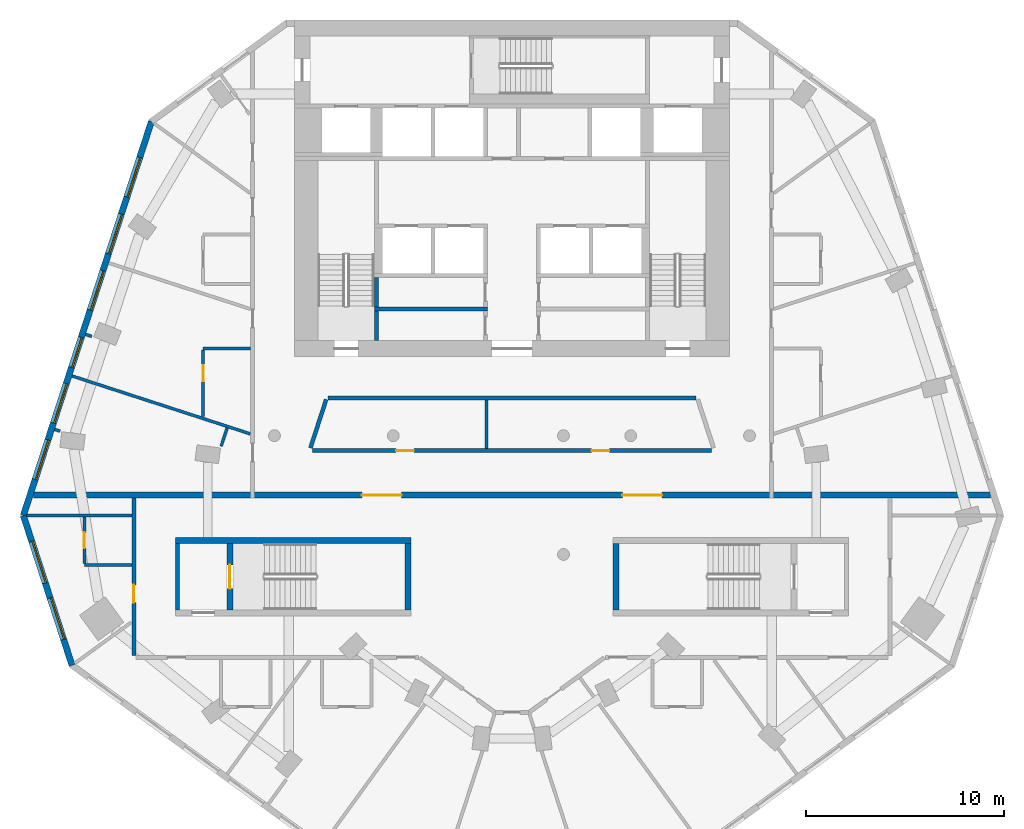
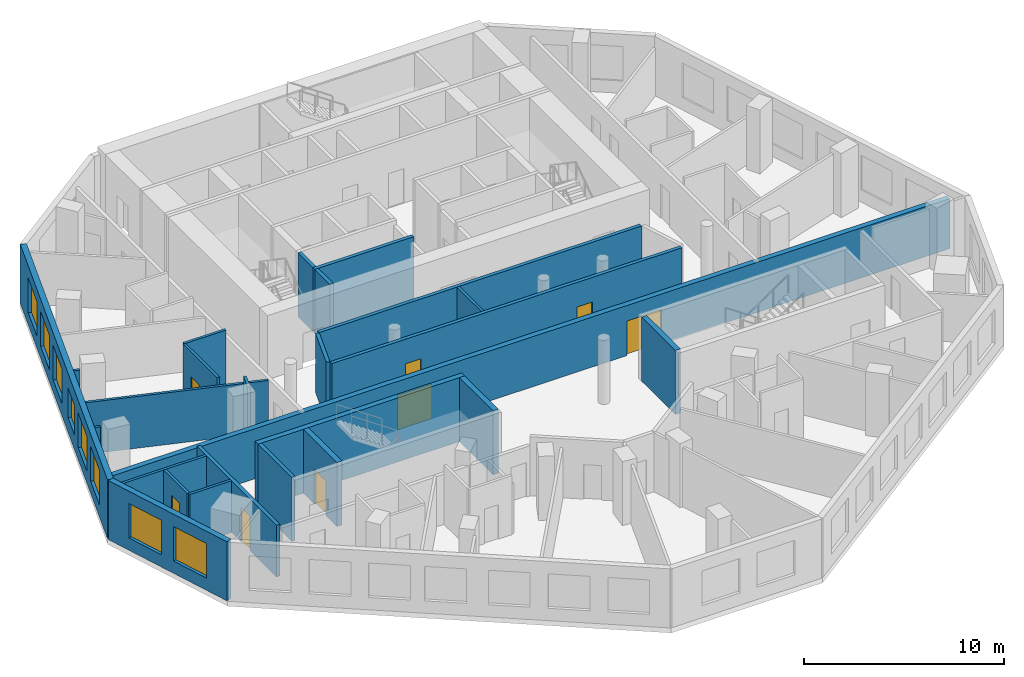
# One storey, part 3 of 9: 25 walls, 8 doors, 8 windows, 16 openings.
"""IFC4 building model written with IfcOpenShell, lengths in metres."""

from ifc_helpers import new_model, si_unit, direction, frame, frame_2d, origin, place, context, subcontext, project, spatial, rectangle, extrude, material, layer, layer_set, type_object, element, fill, save


model = new_model("IFC4")

# Units and contexts
model_context = context("Model", 3, precision=1e-05, world=origin(), true_north=direction((0.0, 1.0)))
body_context = subcontext(model_context, "Body", "Model", "MODEL_VIEW")
ifc_project = project(units=[si_unit("LENGTHUNIT", "METRE"), si_unit("AREAUNIT", "SQUARE_METRE"), si_unit("VOLUMEUNIT", "CUBIC_METRE"), si_unit("PLANEANGLEUNIT", "RADIAN"), si_unit("MASSUNIT", "GRAM", prefix="KILO")], contexts=[model_context])

# Site, building, storey
site_placement = place(None, origin())
site = spatial("IfcSite", under=ifc_project, at=site_placement, CompositionType="ELEMENT")
building_placement = place(site_placement, origin())
building = spatial("IfcBuilding", under=site, at=building_placement, Name="White Candle Pilgrim Tower", CompositionType="ELEMENT")
storey_placement = place(building_placement, frame((0.0, 0.0, 216.0)))
storey = spatial("IfcBuildingStorey", under=building, at=storey_placement, Name="L50", CompositionType="ELEMENT", Elevation=216.0)

# Wall
ifc_material_1 = material(Name="Concrete C50/60", Category="concrete")
ifc_layer_1 = layer(ifc_material_1, 0.199951171875)
ifc_layer_set_1 = layer_set([ifc_layer_1], Name="Core wall 200 mm Concrete C50/60")
wall_type_1 = type_object("IfcWallType", Name="Core wall 200 mm Concrete C50/60", PredefinedType="SHEAR", material=ifc_layer_set_1)
wall_1_placement = place(storey_placement, frame((53.10009765625, 58.199951171875, 0.0), z_axis=(0.0, 0.0, 1.0), x_axis=(0.0, 1.0, 0.0)))
element("IfcWall", 1, at=wall_1_placement, inside=storey, type_object=wall_type_1, Name="WL-L50-C03", PredefinedType="SHEAR", context=body_context, shape_type="SweptSolid", body=[
    extrude(rectangle(XDim=3.35009765625, YDim=0.199951171875, at=frame_2d((1.675048828125, 0.0))), origin(), (0.0, 0.0, 1.0), 3.89990234375),
])

# Wall, opening, door
ifc_material_2 = material(Name="Gypsum board on steel studs", Category="steel")
ifc_layer_2 = layer(ifc_material_2, 0.199951171875)
ifc_layer_set_2 = layer_set([ifc_layer_2], Name="Corridor wall 200 mm EI 45")
wall_type_2 = type_object("IfcWallType", Name="Corridor wall 200 mm EI 45", PredefinedType="PARTITIONING", material=ifc_layer_set_2)
wall_2_placement = place(storey_placement, frame((50.89990234375, 55.89990234375, 0.0), z_axis=(0.0, 0.0, 1.0), x_axis=(0.0, 1.0, 0.0)))
wall_2 = element("IfcWall", 2, at=wall_2_placement, inside=storey, type_object=wall_type_2, Name="WL-L50-P010", PredefinedType="PARTITIONING", context=body_context, shape_type="SweptSolid", body=[
    extrude(rectangle(XDim=7.9501953125, YDim=0.199951171875, at=frame_2d((3.97509765625, 0.0))), origin(), (0.0, 0.0, 1.0), 3.14990234375),
])
opening_1_placement = place(wall_2_placement, frame((2.66650390625, 0.0, 0.0)))
opening_1 = element("IfcOpeningElement", 3, at=opening_1_placement, cuts=wall_2, Name="Opening T15-104", PredefinedType="OPENING", context=body_context, shape_type="SweptSolid", body=[
    extrude(rectangle(XDim=0.89990234375, YDim=2.10009765625, at=frame_2d((0.449951171875, 1.050048828125))), frame((0.0, 0.10986328125, 0.0), z_axis=(0.0, -1.0, 0.0), x_axis=(1.0, 0.0, 0.0)), (0.0, 0.0, 1.0), 0.219970703125),
])
ifc_material_3 = material(Name="Steel door leaf", Category="steel")
door_type_1 = type_object("IfcDoorType", Name="Fire door 900 x 2100 EI 30", OperationType="NOTDEFINED", PredefinedType="DOOR", material=ifc_material_3)
door_1_placement = place(opening_1_placement, origin())
door_1 = element("IfcDoor", 4, at=door_1_placement, inside=storey, type_object=door_type_1, Name="Door T15-104", OperationType="SINGLE_SWING_RIGHT", OverallHeight=2.10009765625, OverallWidth=0.89990234375, PredefinedType="DOOR", context=body_context, shape_type="SweptSolid", body=[
    extrude(rectangle(XDim=0.89990234375, YDim=2.10009765625, at=frame_2d((0.449951171875, 1.050048828125))), frame((0.0, 0.02490234375, 0.0), z_axis=(0.0, -1.0, 0.0), x_axis=(1.0, 0.0, 0.0)), (0.0, 0.0, 1.0), 0.050048828125),
])
fill(opening_1, door_1)

# Wall
wall_3_placement = place(storey_placement, frame((60.614501953125, 68.830810546875, 0.0), z_axis=(0.0, 0.0, 1.0), x_axis=(-0.309053927645, -0.951044515155, 0.0)))
element("IfcWall", 5, at=wall_3_placement, inside=storey, type_object=wall_type_2, Name="WL-L50-P011", PredefinedType="PARTITIONING", context=body_context, shape_type="SweptSolid", body=[
    extrude(rectangle(XDim=2.576171875, YDim=0.199951171875, at=frame_2d((1.2880859375, 0.0))), origin(), (0.0, 0.0, 1.0), 3.60009765625),
])

# Wall, openings, doors
wall_4_placement = place(storey_placement, frame((59.91357421875, 66.25, 0.0), z_axis=(0.0, 0.0, 1.0), x_axis=(1.0, 0.0, 0.0)))
wall_4 = element("IfcWall", 6, at=wall_4_placement, inside=storey, type_object=wall_type_2, Name="WL-L50-P012", PredefinedType="PARTITIONING", context=body_context, shape_type="SweptSolid", body=[
    extrude(rectangle(XDim=20.1728515625, YDim=0.199951171875, at=frame_2d((10.08642578125, 0.0))), origin(), (0.0, 0.0, 1.0), 3.60009765625),
])
opening_2_placement = place(wall_4_placement, frame((4.232421875, 0.0, 0.0)))
opening_2 = element("IfcOpeningElement", 7, at=opening_2_placement, cuts=wall_4, Name="Opening T15-121", PredefinedType="OPENING", context=body_context, shape_type="SweptSolid", body=[
    extrude(rectangle(XDim=0.89990234375, YDim=2.10009765625, at=frame_2d((0.449951171875, 1.050048828125))), frame((0.0, 0.10986328125, 0.0), z_axis=(0.0, -1.0, 0.0), x_axis=(1.0, 0.0, 0.0)), (0.0, 0.0, 1.0), 0.219970703125),
])
opening_3_placement = place(wall_4_placement, frame((14.1064453125, 0.0, 0.0)))
opening_3 = element("IfcOpeningElement", 8, at=opening_3_placement, cuts=wall_4, Name="Opening T15-122", PredefinedType="OPENING", context=body_context, shape_type="SweptSolid", body=[
    extrude(rectangle(XDim=0.89990234375, YDim=2.10009765625, at=frame_2d((0.449951171875, 1.050048828125))), frame((0.0, 0.10986328125, 0.0), z_axis=(0.0, -1.0, 0.0), x_axis=(1.0, 0.0, 0.0)), (0.0, 0.0, 1.0), 0.219970703125),
])
door_2_placement = place(opening_2_placement, origin())
door_2 = element("IfcDoor", 9, at=door_2_placement, inside=storey, type_object=door_type_1, Name="Door T15-121", OperationType="SINGLE_SWING_RIGHT", OverallHeight=2.10009765625, OverallWidth=0.89990234375, PredefinedType="DOOR", context=body_context, shape_type="SweptSolid", body=[
    extrude(rectangle(XDim=0.89990234375, YDim=2.10009765625, at=frame_2d((0.449951171875, 1.050048828125))), frame((0.0, 0.02490234375, 0.0), z_axis=(0.0, -1.0, 0.0), x_axis=(1.0, 0.0, 0.0)), (0.0, 0.0, 1.0), 0.050048828125),
])
fill(opening_2, door_2)
door_3_placement = place(opening_3_placement, origin())
door_3 = element("IfcDoor", 10, at=door_3_placement, inside=storey, type_object=door_type_1, Name="Door T15-122", OperationType="SINGLE_SWING_RIGHT", OverallHeight=2.10009765625, OverallWidth=0.89990234375, PredefinedType="DOOR", context=body_context, shape_type="SweptSolid", body=[
    extrude(rectangle(XDim=0.89990234375, YDim=2.10009765625, at=frame_2d((0.449951171875, 1.050048828125))), frame((0.0, 0.02490234375, 0.0), z_axis=(0.0, -1.0, 0.0), x_axis=(1.0, 0.0, 0.0)), (0.0, 0.0, 1.0), 0.050048828125),
])
fill(opening_3, door_3)

# Wall
wall_5_placement = place(storey_placement, frame((79.290283203125, 68.89990234375, 0.0), z_axis=(0.0, 0.0, 1.0), x_axis=(-1.0, 0.0, 0.0)))
element("IfcWall", 11, at=wall_5_placement, inside=storey, type_object=wall_type_2, Name="WL-L50-P014", PredefinedType="PARTITIONING", context=body_context, shape_type="SweptSolid", body=[
    extrude(rectangle(XDim=18.58056640625, YDim=0.199951171875, at=frame_2d((9.290283203125, 0.0))), origin(), (0.0, 0.0, 1.0), 3.60009765625),
])

# Wall, openings, windows
ifc_material_4 = material(Name="Precast concrete C40/50", Category="concrete")
ifc_layer_3 = layer(ifc_material_4, 0.320068359375)
ifc_layer_set_3 = layer_set([ifc_layer_3], Name="Facade wall EW1 precast concrete C40/50 pier wall with timber-lined reveals")
wall_type_3 = type_object("IfcWallType", Name="Facade wall EW1 precast concrete C40/50 pier wall with timber-lined reveals", PredefinedType="SOLIDWALL", material=ifc_layer_set_3)
wall_6_placement = place(storey_placement, frame((45.312255859375, 62.96337890625, 0.0), z_axis=(0.0, 0.0, 1.0), x_axis=(0.309020158762, -0.951055488118, 0.0)))
wall_6 = element("IfcWall", 12, at=wall_6_placement, inside=storey, type_object=wall_type_3, Name="Facade wall L50 W chamfer", PredefinedType="SOLIDWALL", context=body_context, shape_type="SweptSolid", body=[
    extrude(rectangle(XDim=7.95654296875, YDim=0.320068359375, at=frame_2d((3.978271484375, 0.0))), origin(), (0.0, 0.0, 1.0), 3.60009765625),
])
opening_4_placement = place(wall_6_placement, frame((1.378173828125, 0.0, 0.75)))
opening_4 = element("IfcOpeningElement", 13, at=opening_4_placement, cuts=wall_6, Name="Opening W4", PredefinedType="OPENING", context=body_context, shape_type="SweptSolid", body=[
    extrude(rectangle(XDim=2.199951171875, YDim=2.10009765625, at=frame_2d((1.10009765625, 1.050048828125))), frame((0.0, 0.169921875, 0.0), z_axis=(0.0, -1.0, 0.0), x_axis=(1.0, 0.0, 0.0)), (0.0, 0.0, 1.0), 0.340087890625),
])
opening_5_placement = place(wall_6_placement, frame((4.378173828125, 0.0, 0.75)))
opening_5 = element("IfcOpeningElement", 14, at=opening_5_placement, cuts=wall_6, Name="Opening W4", PredefinedType="OPENING", context=body_context, shape_type="SweptSolid", body=[
    extrude(rectangle(XDim=2.199951171875, YDim=2.10009765625, at=frame_2d((1.10009765625, 1.050048828125))), frame((0.0, 0.169921875, 0.0), z_axis=(0.0, -1.0, 0.0), x_axis=(1.0, 0.0, 0.0)), (0.0, 0.0, 1.0), 0.340087890625),
])
ifc_material_5 = material(Name="Timber frame with triple glazing", Category="wood")
window_type_1 = type_object("IfcWindowType", Name="Window W4 2200x2100 timber frame triple glazing", PartitioningType="SINGLE_PANEL", PredefinedType="WINDOW", material=ifc_material_5)
window_1_placement = place(opening_4_placement, origin())
window_1 = element("IfcWindow", 15, at=window_1_placement, inside=storey, type_object=window_type_1, Name="Window W4 L50 W chamfer 1", OverallHeight=2.10009765625, OverallWidth=2.199951171875, PartitioningType="SINGLE_PANEL", PredefinedType="WINDOW", context=body_context, shape_type="SweptSolid", body=[
    extrude(rectangle(XDim=2.199951171875, YDim=2.10009765625, at=frame_2d((1.10009765625, 1.050048828125))), frame((0.0, 0.070068359375, 0.0), z_axis=(0.0, -1.0, 0.0), x_axis=(1.0, 0.0, 0.0)), (0.0, 0.0, 1.0), 0.06005859375),
])
fill(opening_4, window_1)
window_2_placement = place(opening_5_placement, origin())
window_2 = element("IfcWindow", 16, at=window_2_placement, inside=storey, type_object=window_type_1, Name="Window W4 L50 W chamfer 2", OverallHeight=2.10009765625, OverallWidth=2.199951171875, PartitioningType="SINGLE_PANEL", PredefinedType="WINDOW", context=body_context, shape_type="SweptSolid", body=[
    extrude(rectangle(XDim=2.199951171875, YDim=2.10009765625, at=frame_2d((1.10009765625, 1.050048828125))), frame((0.0, 0.070068359375, 0.0), z_axis=(0.0, -1.0, 0.0), x_axis=(1.0, 0.0, 0.0)), (0.0, 0.0, 1.0), 0.06005859375),
])
fill(opening_5, window_2)

wall_7_placement = place(storey_placement, frame((51.7822265625, 82.875732421875, 0.0), z_axis=(0.0, 0.0, 1.0), x_axis=(-0.309019363855, -0.951055746401, 0.0)))
wall_7 = element("IfcWall", 17, at=wall_7_placement, inside=storey, type_object=wall_type_3, Name="Facade wall L50 WNW", PredefinedType="SOLIDWALL", context=body_context, shape_type="SweptSolid", body=[
    extrude(rectangle(XDim=20.93701171875, YDim=0.320068359375, at=frame_2d((10.468505859375, 0.0))), origin(), (0.0, 0.0, 1.0), 3.60009765625),
])
opening_6_placement = place(wall_7_placement, frame((1.918701171875, 0.0, 0.75)))
opening_6 = element("IfcOpeningElement", 18, at=opening_6_placement, cuts=wall_7, Name="Opening W3", PredefinedType="OPENING", context=body_context, shape_type="SweptSolid", body=[
    extrude(rectangle(XDim=2.10009765625, YDim=2.10009765625, at=frame_2d((1.050048828125, 1.050048828125))), frame((0.0, 0.169921875, 0.0), z_axis=(0.0, -1.0, 0.0), x_axis=(1.0, 0.0, 0.0)), (0.0, 0.0, 1.0), 0.340087890625),
])
opening_7_placement = place(wall_7_placement, frame((4.918701171875, 0.0, 0.75)))
opening_7 = element("IfcOpeningElement", 19, at=opening_7_placement, cuts=wall_7, Name="Opening W3", PredefinedType="OPENING", context=body_context, shape_type="SweptSolid", body=[
    extrude(rectangle(XDim=2.10009765625, YDim=2.10009765625, at=frame_2d((1.050048828125, 1.050048828125))), frame((0.0, 0.169921875, 0.0), z_axis=(0.0, -1.0, 0.0), x_axis=(1.0, 0.0, 0.0)), (0.0, 0.0, 1.0), 0.340087890625),
])
opening_8_placement = place(wall_7_placement, frame((7.918701171875, 0.0, 0.75)))
opening_8 = element("IfcOpeningElement", 20, at=opening_8_placement, cuts=wall_7, Name="Opening W3", PredefinedType="OPENING", context=body_context, shape_type="SweptSolid", body=[
    extrude(rectangle(XDim=2.10009765625, YDim=2.10009765625, at=frame_2d((1.050048828125, 1.050048828125))), frame((0.0, 0.169921875, 0.0), z_axis=(0.0, -1.0, 0.0), x_axis=(1.0, 0.0, 0.0)), (0.0, 0.0, 1.0), 0.340087890625),
])
opening_9_placement = place(wall_7_placement, frame((11.468505859375, 0.0, 0.89990234375)))
opening_9 = element("IfcOpeningElement", 21, at=opening_9_placement, cuts=wall_7, Name="Opening W2", PredefinedType="OPENING", context=body_context, shape_type="SweptSolid", body=[
    extrude(rectangle(XDim=1.60009765625, YDim=1.800048828125, at=frame_2d((0.800048828125, 0.89990234375))), frame((0.0, 0.169921875, 0.0), z_axis=(0.0, -1.0, 0.0), x_axis=(1.0, 0.0, 0.0)), (0.0, 0.0, 1.0), 0.340087890625),
])
opening_10_placement = place(wall_7_placement, frame((13.918701171875, 0.0, 0.75)))
opening_10 = element("IfcOpeningElement", 22, at=opening_10_placement, cuts=wall_7, Name="Opening W3", PredefinedType="OPENING", context=body_context, shape_type="SweptSolid", body=[
    extrude(rectangle(XDim=2.10009765625, YDim=2.10009765625, at=frame_2d((1.050048828125, 1.050048828125))), frame((0.0, 0.169921875, 0.0), z_axis=(0.0, -1.0, 0.0), x_axis=(1.0, 0.0, 0.0)), (0.0, 0.0, 1.0), 0.340087890625),
])
opening_11_placement = place(wall_7_placement, frame((16.918701171875, 0.0, 0.75)))
opening_11 = element("IfcOpeningElement", 23, at=opening_11_placement, cuts=wall_7, Name="Opening W3", PredefinedType="OPENING", context=body_context, shape_type="SweptSolid", body=[
    extrude(rectangle(XDim=2.10009765625, YDim=2.10009765625, at=frame_2d((1.050048828125, 1.050048828125))), frame((0.0, 0.169921875, 0.0), z_axis=(0.0, -1.0, 0.0), x_axis=(1.0, 0.0, 0.0)), (0.0, 0.0, 1.0), 0.340087890625),
])
window_type_2 = type_object("IfcWindowType", Name="Window W2 1600x1800 timber frame triple glazing", PartitioningType="SINGLE_PANEL", PredefinedType="WINDOW", material=ifc_material_5)
window_3_placement = place(opening_9_placement, origin())
window_3 = element("IfcWindow", 24, at=window_3_placement, inside=storey, type_object=window_type_2, Name="Window W2 L50 WNW 4", OverallHeight=1.800048828125, OverallWidth=1.60009765625, PartitioningType="SINGLE_PANEL", PredefinedType="WINDOW", context=body_context, shape_type="SweptSolid", body=[
    extrude(rectangle(XDim=1.60009765625, YDim=1.800048828125, at=frame_2d((0.800048828125, 0.89990234375))), frame((0.0, 0.070068359375, 0.0), z_axis=(0.0, -1.0, 0.0), x_axis=(1.0, 0.0, 0.0)), (0.0, 0.0, 1.0), 0.06005859375),
])
fill(opening_9, window_3)
window_type_3 = type_object("IfcWindowType", Name="Window W3 2100x2100 timber frame triple glazing", PartitioningType="SINGLE_PANEL", PredefinedType="WINDOW", material=ifc_material_5)
window_4_placement = place(opening_6_placement, origin())
window_4 = element("IfcWindow", 25, at=window_4_placement, inside=storey, type_object=window_type_3, Name="Window W3 L50 WNW 1", OverallHeight=2.10009765625, OverallWidth=2.10009765625, PartitioningType="SINGLE_PANEL", PredefinedType="WINDOW", context=body_context, shape_type="SweptSolid", body=[
    extrude(rectangle(XDim=2.10009765625, YDim=2.10009765625, at=frame_2d((1.050048828125, 1.050048828125))), frame((0.0, 0.070068359375, 0.0), z_axis=(0.0, -1.0, 0.0), x_axis=(1.0, 0.0, 0.0)), (0.0, 0.0, 1.0), 0.06005859375),
])
fill(opening_6, window_4)
window_5_placement = place(opening_7_placement, origin())
window_5 = element("IfcWindow", 26, at=window_5_placement, inside=storey, type_object=window_type_3, Name="Window W3 L50 WNW 2", OverallHeight=2.10009765625, OverallWidth=2.10009765625, PartitioningType="SINGLE_PANEL", PredefinedType="WINDOW", context=body_context, shape_type="SweptSolid", body=[
    extrude(rectangle(XDim=2.10009765625, YDim=2.10009765625, at=frame_2d((1.050048828125, 1.050048828125))), frame((0.0, 0.070068359375, 0.0), z_axis=(0.0, -1.0, 0.0), x_axis=(1.0, 0.0, 0.0)), (0.0, 0.0, 1.0), 0.06005859375),
])
fill(opening_7, window_5)
window_6_placement = place(opening_8_placement, origin())
window_6 = element("IfcWindow", 27, at=window_6_placement, inside=storey, type_object=window_type_3, Name="Window W3 L50 WNW 3", OverallHeight=2.10009765625, OverallWidth=2.10009765625, PartitioningType="SINGLE_PANEL", PredefinedType="WINDOW", context=body_context, shape_type="SweptSolid", body=[
    extrude(rectangle(XDim=2.10009765625, YDim=2.10009765625, at=frame_2d((1.050048828125, 1.050048828125))), frame((0.0, 0.070068359375, 0.0), z_axis=(0.0, -1.0, 0.0), x_axis=(1.0, 0.0, 0.0)), (0.0, 0.0, 1.0), 0.06005859375),
])
fill(opening_8, window_6)
window_7_placement = place(opening_10_placement, origin())
window_7 = element("IfcWindow", 28, at=window_7_placement, inside=storey, type_object=window_type_3, Name="Window W3 L50 WNW 5", OverallHeight=2.10009765625, OverallWidth=2.10009765625, PartitioningType="SINGLE_PANEL", PredefinedType="WINDOW", context=body_context, shape_type="SweptSolid", body=[
    extrude(rectangle(XDim=2.10009765625, YDim=2.10009765625, at=frame_2d((1.050048828125, 1.050048828125))), frame((0.0, 0.070068359375, 0.0), z_axis=(0.0, -1.0, 0.0), x_axis=(1.0, 0.0, 0.0)), (0.0, 0.0, 1.0), 0.06005859375),
])
fill(opening_10, window_7)
window_8_placement = place(opening_11_placement, origin())
window_8 = element("IfcWindow", 29, at=window_8_placement, inside=storey, type_object=window_type_3, Name="Window W3 L50 WNW 6", OverallHeight=2.10009765625, OverallWidth=2.10009765625, PartitioningType="SINGLE_PANEL", PredefinedType="WINDOW", context=body_context, shape_type="SweptSolid", body=[
    extrude(rectangle(XDim=2.10009765625, YDim=2.10009765625, at=frame_2d((1.050048828125, 1.050048828125))), frame((0.0, 0.070068359375, 0.0), z_axis=(0.0, -1.0, 0.0), x_axis=(1.0, 0.0, 0.0)), (0.0, 0.0, 1.0), 0.06005859375),
])
fill(opening_11, window_8)

# Wall, openings, doors
ifc_material_6 = material(Name="Aerated concrete block", Category="concrete")
ifc_layer_4 = layer(ifc_material_6, 0.300048828125)
ifc_layer_set_4 = layer_set([ifc_layer_4], Name="Fire wall 300 mm REI 240")
wall_type_4 = type_object("IfcWallType", Name="Fire wall 300 mm REI 240", PredefinedType="PARTITIONING", material=ifc_layer_set_4)
wall_8_placement = place(storey_placement, frame((45.8173828125, 64.0, 0.0), z_axis=(0.0, 0.0, 1.0), x_axis=(1.0, 0.0, 0.0)))
wall_8 = element("IfcWall", 30, at=wall_8_placement, inside=storey, type_object=wall_type_4, Name="WL-L50-P001", PredefinedType="PARTITIONING", context=body_context, shape_type="SweptSolid", body=[
    extrude(rectangle(XDim=48.365234375, YDim=0.300048828125, at=frame_2d((24.1826171875, 0.0))), origin(), (0.0, 0.0, 1.0), 3.050048828125),
])
opening_12_placement = place(wall_8_placement, frame((16.60107421875, 0.0, 0.0)))
opening_12 = element("IfcOpeningElement", 31, at=opening_12_placement, cuts=wall_8, Name="Opening T15-119", PredefinedType="OPENING", context=body_context, shape_type="SweptSolid", body=[
    extrude(rectangle(XDim=2.0, YDim=2.10009765625, at=frame_2d((1.0, 1.050048828125))), frame((0.0, 0.159912109375, 0.0), z_axis=(0.0, -1.0, 0.0), x_axis=(1.0, 0.0, 0.0)), (0.0, 0.0, 1.0), 0.320068359375),
])
opening_13_placement = place(wall_8_placement, frame((29.76416015625, 0.0, 0.0)))
opening_13 = element("IfcOpeningElement", 32, at=opening_13_placement, cuts=wall_8, Name="Opening T15-120", PredefinedType="OPENING", context=body_context, shape_type="SweptSolid", body=[
    extrude(rectangle(XDim=2.0, YDim=2.10009765625, at=frame_2d((1.0, 1.050048828125))), frame((0.0, 0.159912109375, 0.0), z_axis=(0.0, -1.0, 0.0), x_axis=(1.0, 0.0, 0.0)), (0.0, 0.0, 1.0), 0.320068359375),
])
door_type_2 = type_object("IfcDoorType", Name="Fire door 2000 x 2100 EI 60", OperationType="NOTDEFINED", PredefinedType="DOOR", material=ifc_material_3)
door_4_placement = place(opening_12_placement, origin())
door_4 = element("IfcDoor", 33, at=door_4_placement, inside=storey, type_object=door_type_2, Name="Door T15-119", OperationType="DOUBLE_DOOR_SINGLE_SWING", OverallHeight=2.10009765625, OverallWidth=2.0, PredefinedType="DOOR", context=body_context, shape_type="SweptSolid", body=[
    extrude(rectangle(XDim=2.0, YDim=2.10009765625, at=frame_2d((1.0, 1.050048828125))), frame((0.0, 0.02490234375, 0.0), z_axis=(0.0, -1.0, 0.0), x_axis=(1.0, 0.0, 0.0)), (0.0, 0.0, 1.0), 0.050048828125),
])
fill(opening_12, door_4)
door_5_placement = place(opening_13_placement, origin())
door_5 = element("IfcDoor", 34, at=door_5_placement, inside=storey, type_object=door_type_2, Name="Door T15-120", OperationType="DOUBLE_DOOR_SINGLE_SWING", OverallHeight=2.10009765625, OverallWidth=2.0, PredefinedType="DOOR", context=body_context, shape_type="SweptSolid", body=[
    extrude(rectangle(XDim=2.0, YDim=2.10009765625, at=frame_2d((1.0, 1.050048828125))), frame((0.0, 0.02490234375, 0.0), z_axis=(0.0, -1.0, 0.0), x_axis=(1.0, 0.0, 0.0)), (0.0, 0.0, 1.0), 0.050048828125),
])
fill(opening_13, door_5)

# Walls
ifc_layer_5 = layer(ifc_material_2, 0.14990234375)
ifc_layer_set_5 = layer_set([ifc_layer_5], Name="Partition 150 mm EI 60")
wall_type_5 = type_object("IfcWallType", Name="Partition 150 mm EI 60", PredefinedType="PARTITIONING", material=ifc_layer_set_5)
wall_9_placement = place(storey_placement, frame((45.480712890625, 62.96337890625, 0.0), z_axis=(0.0, 0.0, 1.0), x_axis=(1.0, 0.0, 0.0)))
element("IfcWall", 35, at=wall_9_placement, inside=storey, type_object=wall_type_5, Name="WL-L50-P016", PredefinedType="PARTITIONING", context=body_context, shape_type="SweptSolid", body=[
    extrude(rectangle(XDim=5.3193359375, YDim=0.14990234375, at=frame_2d((2.65966796875, 0.0))), origin(), (0.0, 0.0, 1.0), 3.14990234375),
])
wall_10_placement = place(storey_placement, frame((47.7724609375, 70.016845703125, 0.0), z_axis=(0.0, 0.0, 1.0), x_axis=(0.951061731956, -0.309000941761, 0.0)))
element("IfcWall", 36, at=wall_10_placement, inside=storey, type_object=wall_type_5, Name="WL-L50-P025", PredefinedType="PARTITIONING", context=body_context, shape_type="SweptSolid", body=[
    extrude(rectangle(XDim=9.4677734375, YDim=0.14990234375, at=frame_2d((4.73388671875, 0.0))), origin(), (0.0, 0.0, 1.0), 3.14990234375),
])
wall_11_placement = place(storey_placement, frame((56.800048828125, 71.39990234375, 0.0), z_axis=(0.0, 0.0, 1.0), x_axis=(-1.0, 0.0, 0.0)))
element("IfcWall", 37, at=wall_11_placement, inside=storey, type_object=wall_type_5, Name="WL-L50-P029", PredefinedType="PARTITIONING", context=body_context, shape_type="SweptSolid", body=[
    extrude(rectangle(XDim=2.400146484375, YDim=0.14990234375, at=frame_2d((1.2001953125, 0.0))), origin(), (0.0, 0.0, 1.0), 3.60009765625),
])

# Wall, opening, door
wall_12_placement = place(storey_placement, frame((54.39990234375, 67.966796875, 0.0), z_axis=(0.0, 0.0, 1.0), x_axis=(0.0, 1.0, 0.0)))
wall_12 = element("IfcWall", 38, at=wall_12_placement, inside=storey, type_object=wall_type_5, Name="WL-L50-P030", PredefinedType="PARTITIONING", context=body_context, shape_type="SweptSolid", body=[
    extrude(rectangle(XDim=3.358154296875, YDim=0.14990234375, at=frame_2d((1.67919921875, 0.0))), origin(), (0.0, 0.0, 1.0), 3.60009765625),
])
opening_14_placement = place(wall_12_placement, frame((1.783203125, 0.0, 0.0)))
opening_14 = element("IfcOpeningElement", 39, at=opening_14_placement, cuts=wall_12, Name="Opening T15-102", PredefinedType="OPENING", context=body_context, shape_type="SweptSolid", body=[
    extrude(rectangle(XDim=0.800048828125, YDim=2.10009765625, at=frame_2d((0.39990234375, 1.050048828125))), frame((0.0, 0.0849609375, 0.0), z_axis=(0.0, -1.0, 0.0), x_axis=(1.0, 0.0, 0.0)), (0.0, 0.0, 1.0), 0.169921875),
])
door_type_3 = type_object("IfcDoorType", Name="Fire door 800 x 2100 EI 30", OperationType="NOTDEFINED", PredefinedType="DOOR", material=ifc_material_3)
door_6_placement = place(opening_14_placement, origin())
door_6 = element("IfcDoor", 40, at=door_6_placement, inside=storey, type_object=door_type_3, Name="Door T15-102", OperationType="SINGLE_SWING_RIGHT", OverallHeight=2.10009765625, OverallWidth=0.800048828125, PredefinedType="DOOR", context=body_context, shape_type="SweptSolid", body=[
    extrude(rectangle(XDim=0.800048828125, YDim=2.10009765625, at=frame_2d((0.39990234375, 1.050048828125))), frame((0.0, 0.02490234375, 0.0), z_axis=(0.0, -1.0, 0.0), x_axis=(1.0, 0.0, 0.0)), (0.0, 0.0, 1.0), 0.050048828125),
])
fill(opening_14, door_6)

# Wall
wall_13_placement = place(storey_placement, frame((50.800048828125, 60.46337890625, 0.0), z_axis=(0.0, 0.0, 1.0), x_axis=(-1.0, 0.0, 0.0)))
element("IfcWall", 41, at=wall_13_placement, inside=storey, type_object=wall_type_5, Name="WL-L50-P031", PredefinedType="PARTITIONING", context=body_context, shape_type="SweptSolid", body=[
    extrude(rectangle(XDim=2.400146484375, YDim=0.14990234375, at=frame_2d((1.2001953125, 0.0))), origin(), (0.0, 0.0, 1.0), 3.14990234375),
])

# Wall, opening, door
wall_14_placement = place(storey_placement, frame((48.39990234375, 62.88818359375, 0.0), z_axis=(0.0, 0.0, 1.0), x_axis=(0.0, -1.0, 0.0)))
wall_14 = element("IfcWall", 42, at=wall_14_placement, inside=storey, type_object=wall_type_5, Name="WL-L50-P032", PredefinedType="PARTITIONING", context=body_context, shape_type="SweptSolid", body=[
    extrude(rectangle(XDim=2.349853515625, YDim=0.14990234375, at=frame_2d((1.1748046875, 0.0))), origin(), (0.0, 0.0, 1.0), 3.14990234375),
])
opening_15_placement = place(wall_14_placement, frame((0.77490234375, 0.0, 0.0)))
opening_15 = element("IfcOpeningElement", 43, at=opening_15_placement, cuts=wall_14, Name="Opening T15-103", PredefinedType="OPENING", context=body_context, shape_type="SweptSolid", body=[
    extrude(rectangle(XDim=0.800048828125, YDim=2.10009765625, at=frame_2d((0.39990234375, 1.050048828125))), frame((0.0, 0.0849609375, 0.0), z_axis=(0.0, -1.0, 0.0), x_axis=(1.0, 0.0, 0.0)), (0.0, 0.0, 1.0), 0.169921875),
])
door_7_placement = place(opening_15_placement, frame((0.800048828125, 0.0, 0.0), z_axis=(0.0, 0.0, 1.0), x_axis=(-1.0, 0.0, 0.0)))
door_7 = element("IfcDoor", 44, at=door_7_placement, inside=storey, type_object=door_type_3, Name="Door T15-103", OperationType="SINGLE_SWING_RIGHT", OverallHeight=2.10009765625, OverallWidth=0.800048828125, PredefinedType="DOOR", context=body_context, shape_type="SweptSolid", body=[
    extrude(rectangle(XDim=0.800048828125, YDim=2.10009765625, at=frame_2d((0.39990234375, 1.050048828125))), frame((0.0, 0.02490234375, 0.0), z_axis=(0.0, -1.0, 0.0), x_axis=(1.0, 0.0, 0.0)), (0.0, 0.0, 1.0), 0.050048828125),
])
fill(opening_15, door_7)

# Walls
wall_15_placement = place(storey_placement, frame((68.715576171875, 66.35009765625, 0.0), z_axis=(0.0, 0.0, 1.0), x_axis=(0.0, 1.0, 0.0)))
element("IfcWall", 45, at=wall_15_placement, inside=storey, type_object=wall_type_5, Name="WL-L50-P054", PredefinedType="PARTITIONING", context=body_context, shape_type="SweptSolid", body=[
    extrude(rectangle(XDim=2.449951171875, YDim=0.14990234375, at=frame_2d((1.22509765625, 0.0))), origin(), (0.0, 0.0, 1.0), 3.60009765625),
])
wall_16_placement = place(storey_placement, frame((48.768310546875, 72.015869140625, 0.0), z_axis=(0.0, 0.0, 1.0), x_axis=(-0.951028621269, 0.309102833257, 0.0)))
element("IfcWall", 46, at=wall_16_placement, inside=storey, type_object=wall_type_5, Name="WL-L50-P057", PredefinedType="PARTITIONING", context=body_context, shape_type="SweptSolid", body=[
    extrude(rectangle(XDim=0.329345703125, YDim=0.14990234375, at=frame_2d((0.16455078125, 0.0))), origin(), (0.0, 0.0, 1.0), 3.60009765625),
])
wall_17_placement = place(storey_placement, frame((47.167724609375, 67.228271484375, 0.0), z_axis=(0.0, 0.0, 1.0), x_axis=(-0.951040325466, 0.309066820183, 0.0)))
element("IfcWall", 47, at=wall_17_placement, inside=storey, type_object=wall_type_5, Name="WL-L50-P058", PredefinedType="PARTITIONING", context=body_context, shape_type="SweptSolid", body=[
    extrude(rectangle(XDim=0.286865234375, YDim=0.14990234375, at=frame_2d((0.1435546875, 0.0))), origin(), (0.0, 0.0, 1.0), 3.60009765625),
])
wall_18_placement = place(storey_placement, frame((55.306640625, 66.462158203125, 0.0), z_axis=(0.0, 0.0, 1.0), x_axis=(0.308950530708, 0.951078109082, 0.0)))
element("IfcWall", 48, at=wall_18_placement, inside=storey, type_object=wall_type_5, Name="WL-L50-P060", PredefinedType="PARTITIONING", context=body_context, shape_type="SweptSolid", body=[
    extrude(rectangle(XDim=0.9775390625, YDim=0.14990234375, at=frame_2d((0.48876953125, 0.0))), origin(), (0.0, 0.0, 1.0), 3.60009765625),
])
ifc_layer_6 = layer(ifc_material_1, 0.199951171875)
ifc_layer_set_6 = layer_set([ifc_layer_6], Name="Stair shaft wall 200 mm Concrete C50/60")
wall_type_6 = type_object("IfcWallType", Name="Stair shaft wall 200 mm Concrete C50/60", PredefinedType="SHEAR", material=ifc_layer_set_6)
wall_19_placement = place(storey_placement, frame((63.14990234375, 71.800048828125, 0.0), z_axis=(0.0, 0.0, 1.0), x_axis=(0.0, 1.0, 0.0)))
element("IfcWall", 49, at=wall_19_placement, inside=storey, type_object=wall_type_6, Name="WL-L50-C13", PredefinedType="SHEAR", context=body_context, shape_type="SweptSolid", body=[
    extrude(rectangle(XDim=1.5, YDim=0.199951171875, at=frame_2d((0.75, 0.0))), origin(), (0.0, 0.0, 1.0), 3.89990234375),
])
wall_20_placement = place(storey_placement, frame((63.050048828125, 73.39990234375, 0.0), z_axis=(0.0, 0.0, 1.0), x_axis=(1.0, 0.0, 0.0)))
element("IfcWall", 50, at=wall_20_placement, inside=storey, type_object=wall_type_6, Name="WL-L50-C18", PredefinedType="SHEAR", context=body_context, shape_type="SweptSolid", body=[
    extrude(rectangle(XDim=5.699951171875, YDim=0.199951171875, at=frame_2d((2.85009765625, 0.0))), origin(), (0.0, 0.0, 1.0), 3.89990234375),
])
wall_21_placement = place(storey_placement, frame((63.14990234375, 73.5, 0.0), z_axis=(0.0, 0.0, 1.0), x_axis=(0.0, 1.0, 0.0)))
element("IfcWall", 51, at=wall_21_placement, inside=storey, type_object=wall_type_6, Name="WL-L50-C20", PredefinedType="SHEAR", context=body_context, shape_type="SweptSolid", body=[
    extrude(rectangle(XDim=1.5, YDim=0.199951171875, at=frame_2d((0.75, 0.0))), origin(), (0.0, 0.0, 1.0), 3.89990234375),
])

# Wall, opening, door
ifc_layer_7 = layer(ifc_material_1, 0.300048828125)
ifc_layer_set_7 = layer_set([ifc_layer_7], Name="Stair shaft wall 300 mm Concrete C50/60")
wall_type_7 = type_object("IfcWallType", Name="Stair shaft wall 300 mm Concrete C50/60", PredefinedType="SHEAR", material=ifc_layer_set_7)
wall_22_placement = place(storey_placement, frame((55.75, 58.199951171875, 0.0), z_axis=(0.0, 0.0, 1.0), x_axis=(0.0, 1.0, 0.0)))
wall_22 = element("IfcWall", 52, at=wall_22_placement, inside=storey, type_object=wall_type_7, Name="WL-L50-C04", PredefinedType="SHEAR", context=body_context, shape_type="SweptSolid", body=[
    extrude(rectangle(XDim=3.35009765625, YDim=0.300048828125, at=frame_2d((1.675048828125, 0.0))), origin(), (0.0, 0.0, 1.0), 3.89990234375),
])
opening_16_placement = place(wall_22_placement, frame((1.074951171875, 0.0, 0.0)))
opening_16 = element("IfcOpeningElement", 53, at=opening_16_placement, cuts=wall_22, Name="Opening T15-012", PredefinedType="OPENING", context=body_context, shape_type="SweptSolid", body=[
    extrude(rectangle(XDim=1.199951171875, YDim=2.10009765625, at=frame_2d((0.60009765625, 1.050048828125))), frame((0.0, 0.159912109375, 0.0), z_axis=(0.0, -1.0, 0.0), x_axis=(1.0, 0.0, 0.0)), (0.0, 0.0, 1.0), 0.320068359375),
])
door_type_4 = type_object("IfcDoorType", Name="Fire door 1200 x 2100 EI 60", OperationType="NOTDEFINED", PredefinedType="DOOR", material=ifc_material_3)
door_8_placement = place(opening_16_placement, frame((1.199951171875, 0.0, 0.0), z_axis=(0.0, 0.0, 1.0), x_axis=(-1.0, 0.0, 0.0)))
door_8 = element("IfcDoor", 54, at=door_8_placement, inside=storey, type_object=door_type_4, Name="Door T15-012", OperationType="SINGLE_SWING_LEFT", OverallHeight=2.10009765625, OverallWidth=1.199951171875, PredefinedType="DOOR", context=body_context, shape_type="SweptSolid", body=[
    extrude(rectangle(XDim=1.199951171875, YDim=2.10009765625, at=frame_2d((0.60009765625, 1.050048828125))), frame((0.0, 0.02490234375, 0.0), z_axis=(0.0, -1.0, 0.0), x_axis=(1.0, 0.0, 0.0)), (0.0, 0.0, 1.0), 0.050048828125),
])
fill(opening_16, door_8)

# Walls
for number, where, z_axis, x_axis, name in (
    (55, (64.75, 58.199951171875, 0.0), (0.0, 0.0, 1.0), (0.0, 1.0, 0.0), "WL-L50-C05"),
    (56, (75.25, 58.199951171875, 0.0), (0.0, 0.0, 1.0), (0.0, 1.0, 0.0), "WL-L50-C06"),
):
    element("IfcWall", number, at=place(storey_placement, frame(where, z_axis=z_axis, x_axis=x_axis)), inside=storey, type_object=wall_type_7, Name=name, PredefinedType="SHEAR", context=body_context, shape_type="SweptSolid", body=[
        extrude(rectangle(XDim=3.35009765625, YDim=0.300048828125, at=frame_2d((1.675048828125, 0.0))), origin(), (0.0, 0.0, 1.0), 3.89990234375),
    ])
wall_23_placement = place(storey_placement, frame((53.0, 61.699951171875, 0.0), z_axis=(0.0, 0.0, 1.0), x_axis=(1.0, 0.0, 0.0)))
element("IfcWall", 57, at=wall_23_placement, inside=storey, type_object=wall_type_7, Name="WL-L50-C09", PredefinedType="SHEAR", context=body_context, shape_type="SweptSolid", body=[
    extrude(rectangle(XDim=11.89990234375, YDim=0.300048828125, at=frame_2d((5.949951171875, 0.0))), origin(), (0.0, 0.0, 1.0), 3.89990234375),
])

save(model, "model.ifc")
